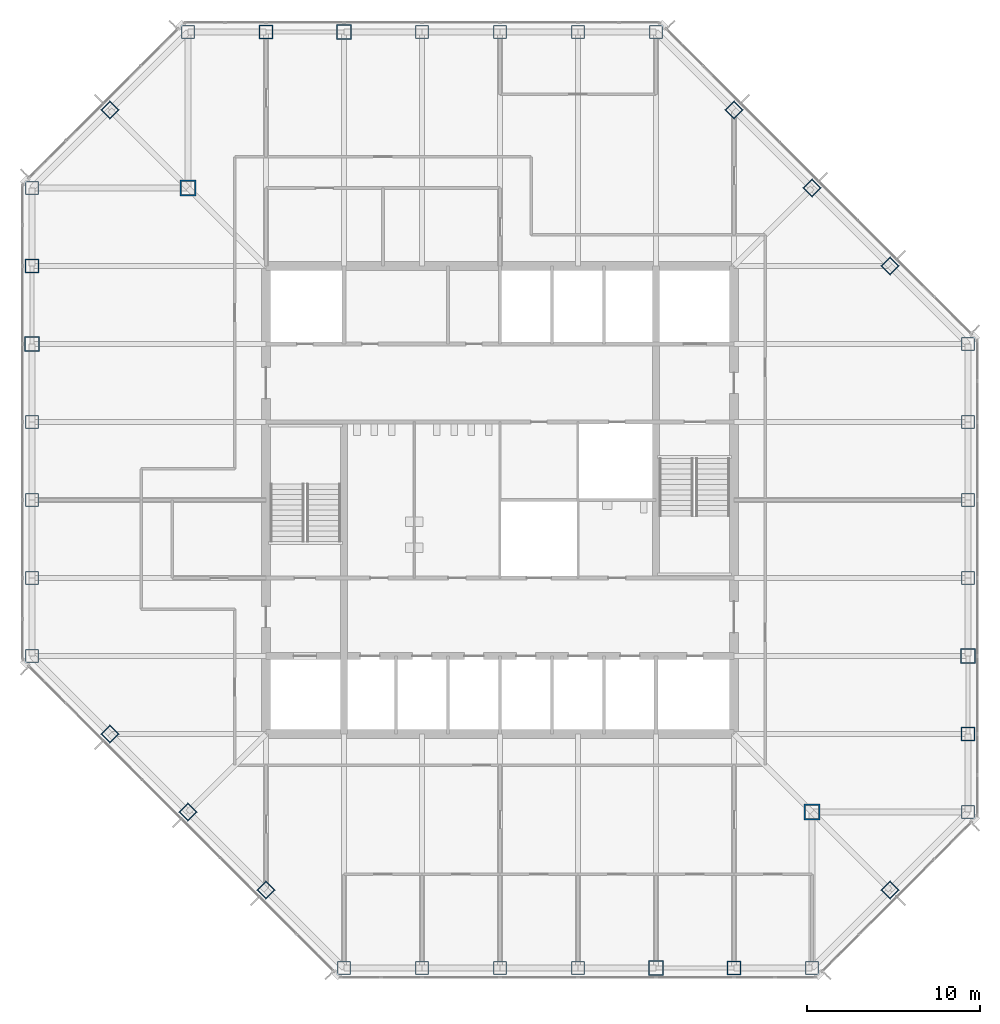
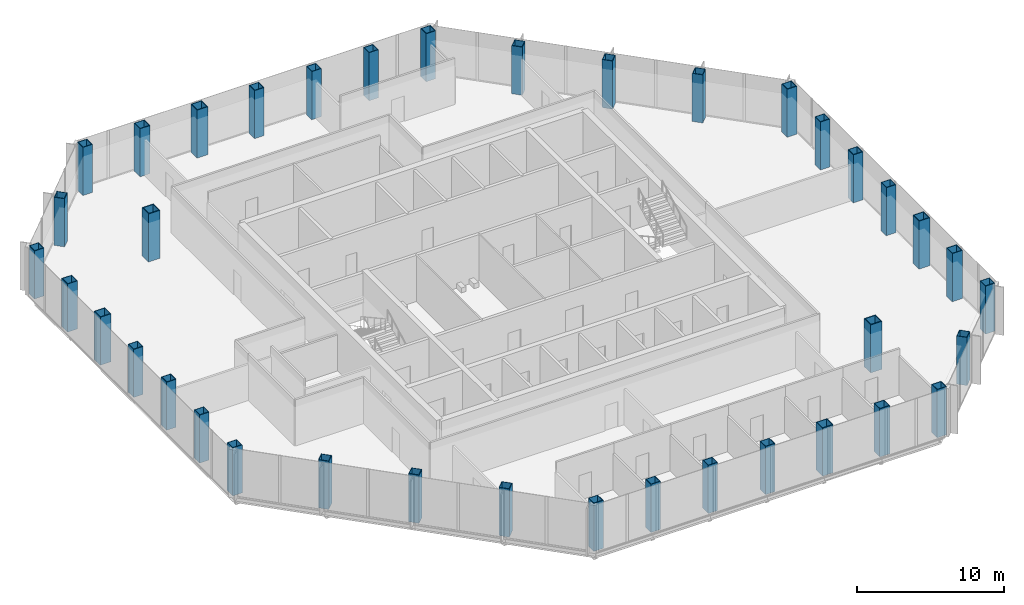
# One storey, part 1 of 12: 38 columns.
"""IFC4 building model written with IfcOpenShell, lengths in metres."""

from ifc_helpers import new_model, si_unit, direction, frame, origin, origin_2d, place, context, subcontext, project, spatial, hollow_rectangle, extrude, material, material_profile, profile_set, type_object, element, save


model = new_model("IFC4")

# Units and contexts
model_context = context("Model", 3, precision=1e-05, world=origin(), true_north=direction((0.0, 1.0)))
body_context = subcontext(model_context, "Body", "Model", "MODEL_VIEW")
ifc_project = project(units=[si_unit("LENGTHUNIT", "METRE"), si_unit("AREAUNIT", "SQUARE_METRE"), si_unit("VOLUMEUNIT", "CUBIC_METRE"), si_unit("PLANEANGLEUNIT", "RADIAN"), si_unit("MASSUNIT", "GRAM", prefix="KILO")], contexts=[model_context])

# Site, building, storey
site_placement = place(None, origin())
site = spatial("IfcSite", under=ifc_project, at=site_placement, CompositionType="ELEMENT")
building_placement = place(site_placement, origin())
building = spatial("IfcBuilding", under=site, at=building_placement, Name="Corais Broadcast Tower", CompositionType="ELEMENT")
storey_placement = place(building_placement, frame((0.0, 0.0, 147.60009765625)))
storey = spatial("IfcBuildingStorey", under=building, at=storey_placement, Name="L33", CompositionType="ELEMENT", Elevation=147.60009765625)

# Columns
ifc_material_1 = material(Name="Steel ASTM A572 Grade 50", Category="steel")
ifc_material_profile_1 = material_profile(ifc_material_1, hollow_rectangle(XDim=0.75, YDim=0.75, WallThickness=0.0400390625, at=origin_2d()), Name="BOX 750x750x40")
ifc_profile_set_1 = profile_set([ifc_material_profile_1], Name="Steel ASTM A572 Grade 50")
column_type_1 = type_object("IfcColumnType", Name="Column BOX 750x750x40", PredefinedType="COLUMN", material=ifc_profile_set_1)
for number, where, z_axis, x_axis, name in (
    (1, (18.0, 0.0, 0.0), (0.0, 0.0, 1.0), (1.0, 0.0, 0.0), "C4 A/7"),
    (2, (22.5, 0.0, 0.0), (0.0, 0.0, 1.0), (1.0, 0.0, 0.0), "C4 A/8"),
    (3, (27.0, 0.0, 0.0), (0.0, 0.0, 1.0), (1.0, 0.0, 0.0), "C4 A/9"),
    (4, (31.5, 0.0, 0.0), (0.0, 0.0, 1.0), (1.0, 0.0, 0.0), "C4 A/10"),
    (5, (45.0, 0.0, 0.0), (0.0, 0.0, 1.0), (1.0, 0.0, 0.0), "C4 A/13"),
    (6, (54.0, 9.0, 0.0), (0.0, 0.0, 1.0), (1.0, 0.0, 0.0), "C4 C/15"),
    (7, (54.0, 22.5, 0.0), (0.0, 0.0, 1.0), (1.0, 0.0, 0.0), "C4 F/15"),
    (8, (54.0, 27.0, 0.0), (0.0, 0.0, 1.0), (1.0, 0.0, 0.0), "C4 G/15"),
    (9, (54.0, 31.5, 0.0), (0.0, 0.0, 1.0), (1.0, 0.0, 0.0), "C4 H/15"),
    (10, (54.0, 36.0, 0.0), (0.0, 0.0, 1.0), (1.0, 0.0, 0.0), "C4 J/15"),
    (11, (36.0, 54.0, 0.0), (0.0, 0.0, 1.0), (1.0, 0.0, 0.0), "C4 N/11"),
    (12, (31.5, 54.0, 0.0), (0.0, 0.0, 1.0), (1.0, 0.0, 0.0), "C4 N/10"),
    (13, (27.0, 54.0, 0.0), (0.0, 0.0, 1.0), (1.0, 0.0, 0.0), "C4 N/9"),
    (14, (22.5, 54.0, 0.0), (0.0, 0.0, 1.0), (1.0, 0.0, 0.0), "C4 N/8"),
    (15, (9.0, 54.0, 0.0), (0.0, 0.0, 1.0), (1.0, 0.0, 0.0), "C4 N/5"),
    (16, (0.0, 45.0, 0.0), (0.0, 0.0, 1.0), (1.0, 0.0, 0.0), "C4 L/3"),
    (17, (0.0, 31.5, 0.0), (0.0, 0.0, 1.0), (1.0, 0.0, 0.0), "C4 H/3"),
    (18, (0.0, 27.0, 0.0), (0.0, 0.0, 1.0), (1.0, 0.0, 0.0), "C4 G/3"),
    (19, (0.0, 22.5, 0.0), (0.0, 0.0, 1.0), (1.0, 0.0, 0.0), "C4 F/3"),
    (20, (0.0, 18.0, 0.0), (0.0, 0.0, 1.0), (1.0, 0.0, 0.0), "C4 E/3"),
    (21, (13.5, 4.5, 0.0), (0.0, 0.0, 1.0), (0.707106781187, 0.707106781187, 0.0), "C4 B/6"),
    (22, (9.0, 9.0, 0.0), (0.0, 0.0, 1.0), (0.707106781187, 0.707106781187, 0.0), "C4 C/5"),
    (23, (4.5, 13.5, 0.0), (0.0, 0.0, 1.0), (0.707106781187, 0.707106781187, 0.0), "C4 D/4"),
    (24, (49.5, 4.5, 0.0), (0.0, 0.0, 1.0), (0.707106781187, 0.707106781187, 0.0), "C4 B/14"),
    (25, (49.5, 40.5, 0.0), (0.0, 0.0, 1.0), (0.707106781187, 0.707106781187, 0.0), "C4 K/14"),
    (26, (45.0, 45.0, 0.0), (0.0, 0.0, 1.0), (0.707106781187, 0.707106781187, 0.0), "C4 L/13"),
    (27, (40.5, 49.5, 0.0), (0.0, 0.0, 1.0), (0.707106781187, 0.707106781187, 0.0), "C4 M/12"),
    (28, (4.5, 49.5, 0.0), (0.0, 0.0, 1.0), (0.707106781187, 0.707106781187, 0.0), "C4 M/4"),
):
    element("IfcColumn", number, at=place(storey_placement, frame(where, z_axis=z_axis, x_axis=x_axis)), inside=storey, type_object=column_type_1, Name=name, PredefinedType="COLUMN", context=body_context, shape_type="SweptSolid", body=[
        extrude(hollow_rectangle(XDim=0.75, YDim=0.75, WallThickness=0.0400390625, at=origin_2d()), origin(), (0.0, 0.0, 1.0), 4.0),
    ])
ifc_material_2 = material(Name="Steel ASTM A572 Grade 50", Category="steel")
ifc_material_profile_2 = material_profile(ifc_material_2, hollow_rectangle(XDim=0.800048828125, YDim=0.800048828125, WallThickness=0.044921875, at=origin_2d()), Name="BOX 800x800x45")
ifc_profile_set_2 = profile_set([ifc_material_profile_2], Name="Steel ASTM A572 Grade 50")
column_type_2 = type_object("IfcColumnType", Name="Column BOX 800x800x45", PredefinedType="COLUMN", material=ifc_profile_set_2)
for number, where, z_axis, x_axis, name in (
    (29, (40.5, 0.0, 0.0), (0.0, 0.0, 1.0), (1.0, 0.0, 0.0), "C3 A/12"),
    (30, (54.0, 13.5, 0.0), (0.0, 0.0, 1.0), (1.0, 0.0, 0.0), "C3 D/15"),
    (31, (13.5, 54.0, 0.0), (0.0, 0.0, 1.0), (1.0, 0.0, 0.0), "C3 N/6"),
    (32, (0.0, 40.5, 0.0), (0.0, 0.0, 1.0), (1.0, 0.0, 0.0), "C3 K/3"),
):
    element("IfcColumn", number, at=place(storey_placement, frame(where, z_axis=z_axis, x_axis=x_axis)), inside=storey, type_object=column_type_2, Name=name, PredefinedType="COLUMN", context=body_context, shape_type="SweptSolid", body=[
        extrude(hollow_rectangle(XDim=0.800048828125, YDim=0.800048828125, WallThickness=0.044921875, at=origin_2d()), origin(), (0.0, 0.0, 1.0), 4.0),
    ])
ifc_material_3 = material(Name="Steel ASTM A572 Grade 50", Category="steel")
ifc_material_profile_3 = material_profile(ifc_material_3, hollow_rectangle(XDim=0.85009765625, YDim=0.85009765625, WallThickness=0.050048828125, at=origin_2d()), Name="BOX 850x850x50")
ifc_profile_set_3 = profile_set([ifc_material_profile_3], Name="Steel ASTM A572 Grade 50")
column_type_3 = type_object("IfcColumnType", Name="Column BOX 850x850x50", PredefinedType="COLUMN", material=ifc_profile_set_3)
for number, where, z_axis, x_axis, name in (
    (33, (36.0, 0.0, 0.0), (0.0, 0.0, 1.0), (1.0, 0.0, 0.0), "C1 A/11"),
    (34, (54.0, 18.0, 0.0), (0.0, 0.0, 1.0), (1.0, 0.0, 0.0), "C1 E/15"),
    (35, (18.0, 54.0, 0.0), (0.0, 0.0, 1.0), (1.0, 0.0, 0.0), "C1 N/7"),
    (36, (0.0, 36.0, 0.0), (0.0, 0.0, 1.0), (1.0, 0.0, 0.0), "C1 J/3"),
):
    element("IfcColumn", number, at=place(storey_placement, frame(where, z_axis=z_axis, x_axis=x_axis)), inside=storey, type_object=column_type_3, Name=name, PredefinedType="COLUMN", context=body_context, shape_type="SweptSolid", body=[
        extrude(hollow_rectangle(XDim=0.85009765625, YDim=0.85009765625, WallThickness=0.050048828125, at=origin_2d()), origin(), (0.0, 0.0, 1.0), 4.0),
    ])
ifc_material_4 = material(Name="Steel ASTM A572 Grade 50", Category="steel")
ifc_material_profile_4 = material_profile(ifc_material_4, hollow_rectangle(XDim=0.89990234375, YDim=0.89990234375, WallThickness=0.06298828125, at=origin_2d()), Name="BOX 900x900x63")
ifc_profile_set_4 = profile_set([ifc_material_profile_4], Name="Steel ASTM A572 Grade 50")
column_type_4 = type_object("IfcColumnType", Name="Column BOX 900x900x63", PredefinedType="COLUMN", material=ifc_profile_set_4)
for number, where, z_axis, x_axis, name in (
    (37, (45.0, 9.0, 0.0), (0.0, 0.0, 1.0), (1.0, 0.0, 0.0), "C2 C/13"),
    (38, (9.0, 45.0, 0.0), (0.0, 0.0, 1.0), (1.0, 0.0, 0.0), "C2 L/5"),
):
    element("IfcColumn", number, at=place(storey_placement, frame(where, z_axis=z_axis, x_axis=x_axis)), inside=storey, type_object=column_type_4, Name=name, PredefinedType="COLUMN", context=body_context, shape_type="SweptSolid", body=[
        extrude(hollow_rectangle(XDim=0.89990234375, YDim=0.89990234375, WallThickness=0.06298828125, at=origin_2d()), origin(), (0.0, 0.0, 1.0), 4.0),
    ])

save(model, "model.ifc")
